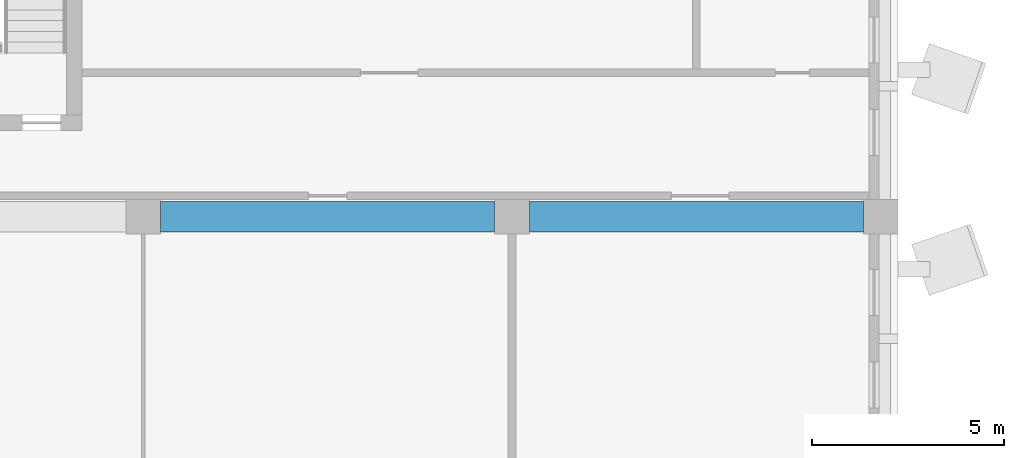
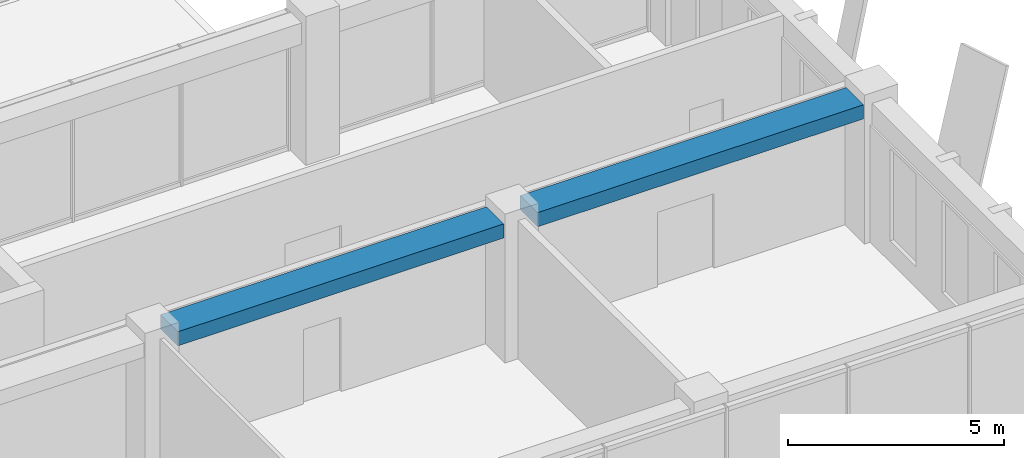
# One storey, part 13 of 38: 2 beams.
"""IFC4 building model written with IfcOpenShell, lengths in metres."""

import ifcopenshell
import ifcopenshell.guid

model = None  # the IFC model being written
_history = None  # IfcOwnerHistory: only IFC2X3 demands one
_inside = {}  # id of a spatial element -> (the spatial element, [elements in it])
_under = {}  # id of a project, library or spatial element -> (it, [spatial elements below it])
_declared = {}  # id of a project -> (the project, [libraries it declares])
_typed = {}  # id of a type object -> (the type object, [elements of that type])
_made_of = {}  # id of a material, layer set ... -> (it, [elements and type objects made of it])


def new_model(schema):
    """Start an empty IFC model of exactly this schema.

    Asked for "IFC4X3", IfcOpenShell would pick the latest addendum, in which some entities
    have other attributes; the version numbers below select the first issue.
    IFC2X3 requires an IfcOwnerHistory on every rooted entity: one is made here for all.
    """
    global model, _history
    if schema == "IFC4X3":
        model = ifcopenshell.file(schema_version=(4, 3, 0, 0))
    else:
        model = ifcopenshell.file(schema=schema)
    _inside.clear()
    _under.clear()
    _declared.clear()
    _typed.clear()
    _made_of.clear()
    _history = None
    if model.schema == "IFC2X3":
        org = make("IfcOrganization", Name="unknown")
        user = make(
            "IfcPersonAndOrganization",
            ThePerson=make("IfcPerson", FamilyName="unknown"),
            TheOrganization=org,
        )
        app = make(
            "IfcApplication",
            ApplicationDeveloper=org,
            Version="unknown",
            ApplicationFullName="unknown",
            ApplicationIdentifier="unknown",
        )
        _history = make(
            "IfcOwnerHistory",
            OwningUser=user,
            OwningApplication=app,
            ChangeAction="ADDED",
            CreationDate=0,
        )
    return model


def make(cls, **values):
    """One entity of the class cls with the attributes given. An attribute that is None is left unset."""
    return model.create_entity(
        cls, **{name: value for name, value in values.items() if value is not None}
    )


def rooted(cls, **values):
    """An entity with a GlobalId (a new one), such as an element, a storey or a relation."""
    return make(cls, GlobalId=ifcopenshell.guid.new(), OwnerHistory=_history, **values)


def si_unit(unit_type, name, prefix=None):
    """IfcSIUnit, for example si_unit("LENGTHUNIT", "METRE", prefix="MILLI")."""
    return make("IfcSIUnit", UnitType=unit_type, Prefix=prefix, Name=name)


def assignment(units):
    """IfcUnitAssignment: the units of a project."""
    return None if units is None else make("IfcUnitAssignment", Units=units)


def point(xyz):
    """IfcCartesianPoint."""
    return None if xyz is None else make("IfcCartesianPoint", Coordinates=xyz)


def direction(xyz):
    """IfcDirection."""
    return None if xyz is None else make("IfcDirection", DirectionRatios=xyz)


def frame(location, z_axis=None, x_axis=None):
    """IfcAxis2Placement3D, a coordinate frame: its origin and axes. An axis left out is left unset."""
    return make(
        "IfcAxis2Placement3D",
        Location=point(location),
        Axis=direction(z_axis),
        RefDirection=direction(x_axis),
    )


def frame_2d(location, x_axis=None):
    """IfcAxis2Placement2D, a coordinate frame in the plane: its origin and x axis."""
    return make(
        "IfcAxis2Placement2D", Location=point(location), RefDirection=direction(x_axis)
    )


def origin():
    """The frame at (0, 0, 0) with its axes left unset."""
    return frame((0.0, 0.0, 0.0))


def origin_2d():
    """The frame at (0, 0) in the plane with its x axis left unset."""
    return frame_2d((0.0, 0.0))


def place(relative_to, where):
    """IfcLocalPlacement: puts the frame where relative to a parent placement (None: the world)."""
    return make(
        "IfcLocalPlacement", PlacementRelTo=relative_to, RelativePlacement=where
    )


def context(
    kind, dimensions, precision=None, world=None, true_north=None, identifier=None
):
    """IfcGeometricRepresentationContext, for example the 3D "Model" context."""
    return make(
        "IfcGeometricRepresentationContext",
        ContextIdentifier=identifier,
        ContextType=kind,
        CoordinateSpaceDimension=dimensions,
        Precision=precision,
        WorldCoordinateSystem=world,
        TrueNorth=true_north,
    )


def subcontext(parent, identifier, kind, view, scale=None):
    """IfcGeometricRepresentationSubContext, for example "Body" below "Model"."""
    return make(
        "IfcGeometricRepresentationSubContext",
        ContextIdentifier=identifier,
        ContextType=kind,
        ParentContext=parent,
        TargetScale=scale,
        TargetView=view,
    )


def project(units=None, contexts=None):
    """IfcProject with its units and contexts."""
    return rooted(
        "IfcProject",
        Name="project",
        RepresentationContexts=contexts,
        UnitsInContext=assignment(units),
    )


def spatial(cls, under=None, at=None, **own):
    """A site, building, storey or space (cls), placed at a placement, below another one or the project."""
    s = rooted(cls, ObjectPlacement=at, **own)
    if under is not None:
        _under.setdefault(under.id(), (under, []))[1].append(s)
    return s


def profile(cls, at=None, kind="AREA", **sizes):
    """A parametric profile (cls). Its sizes go by their IFC names, for example OverallWidth=200.0."""
    return make(cls, ProfileType=kind, Position=at, **sizes)


def rectangle(**sizes):
    """IfcRectangleProfileDef."""
    return profile("IfcRectangleProfileDef", **sizes)


def extrude(swept, where, along, depth):
    """IfcExtrudedAreaSolid: the profile swept, set in the frame where, extruded along a direction by depth."""
    return make(
        "IfcExtrudedAreaSolid",
        SweptArea=swept,
        Position=where,
        ExtrudedDirection=direction(along),
        Depth=depth,
    )


def shape(context_of_items, identifier, shape_type, items):
    """IfcShapeRepresentation: the items that make up one representation, for example the "Body"."""
    return make(
        "IfcShapeRepresentation",
        ContextOfItems=context_of_items,
        RepresentationIdentifier=identifier,
        RepresentationType=shape_type,
        Items=items,
    )


def material(Name=None, Category=None):
    """IfcMaterial."""
    return make("IfcMaterial", Name=Name, Category=Category)


def material_profile(
    of_material, cross_section, Name=None, Category=None, Priority=None
):
    """IfcMaterialProfile: a cross section and its material."""
    return make(
        "IfcMaterialProfile",
        Name=Name,
        Material=of_material,
        Profile=cross_section,
        Priority=Priority,
        Category=Category,
    )


def profile_set(profiles, Name=None, composite=None):
    """IfcMaterialProfileSet."""
    return make(
        "IfcMaterialProfileSet",
        Name=Name,
        MaterialProfiles=profiles,
        CompositeProfile=composite,
    )


def made_of(thing, what):
    """Note that an element or type object is made of a material, layer set ...; save() writes the relation."""
    if what is not None:
        _made_of.setdefault(what.id(), (what, []))[1].append(thing)
    return thing


def type_object(cls, material=None, **own):
    """A type object (cls), such as IfcWallType, which elements share."""
    return made_of(rooted(cls, **own), material)


def element(
    cls,
    number,
    at=None,
    inside=None,
    cuts=None,
    type_object=None,
    material=None,
    context=None,
    identifier="Body",
    shape_type=None,
    held_by="IfcProductDefinitionShape",
    body=None,
    shapes=None,
    **own,
):
    """One element of the class cls, such as IfcWall. Its Tag is "e" and its number.

    at: its placement. inside: the storey or other place that contains it. cuts: it is an
    opening in that element (IfcRelVoidsElement). A single representation is given by context,
    identifier, shape_type and body (its items); several are given by shapes. held_by: the class
    of the entity that holds the representations. save() writes the other relations.
    """
    e = rooted(cls, Tag="e%d" % number, ObjectPlacement=at, **own)
    if body is not None:
        shapes = [shape(context, identifier, shape_type, body)]
    if shapes is not None:
        e.Representation = make(held_by, Representations=shapes)
    if inside is not None:
        _inside.setdefault(inside.id(), (inside, []))[1].append(e)
    if cuts is not None:
        rooted(
            "IfcRelVoidsElement", RelatingBuildingElement=cuts, RelatedOpeningElement=e
        )
    if type_object is not None:
        _typed.setdefault(type_object.id(), (type_object, []))[1].append(e)
    return made_of(e, material)


def aggregate(whole, parts):
    """IfcRelAggregates: a whole, such as a stair, and the parts it consists of."""
    return rooted("IfcRelAggregates", RelatingObject=whole, RelatedObjects=parts)


def save(model, path):
    """Write the relations noted so far, then the file.

    IfcRelAggregates (storeys below a building ...), IfcRelContainedInSpatialStructure (elements
    in a storey), IfcRelDefinesByType, IfcRelAssociatesMaterial and IfcRelDeclares: one each for
    every whole, place, type object, material and project.
    """
    for whole, parts in _under.values():
        aggregate(whole, parts)
    for where, things in _inside.values():
        rooted(
            "IfcRelContainedInSpatialStructure",
            RelatedElements=things,
            RelatingStructure=where,
        )
    for kind, things in _typed.values():
        rooted("IfcRelDefinesByType", RelatedObjects=things, RelatingType=kind)
    for what, things in _made_of.values():
        rooted("IfcRelAssociatesMaterial", RelatedObjects=things, RelatingMaterial=what)
    for by, libraries in _declared.values():
        rooted("IfcRelDeclares", RelatingContext=by, RelatedDefinitions=libraries)
    model.write(path)


model = new_model("IFC4")

# Units and contexts
model_context = context("Model", 3, precision=1e-05, world=origin(), true_north=direction((0.0, 1.0)))
body_context = subcontext(model_context, "Body", "Model", "MODEL_VIEW")
ifc_project = project(units=[si_unit("LENGTHUNIT", "METRE"), si_unit("AREAUNIT", "SQUARE_METRE"), si_unit("VOLUMEUNIT", "CUBIC_METRE"), si_unit("PLANEANGLEUNIT", "RADIAN"), si_unit("MASSUNIT", "GRAM", prefix="KILO")], contexts=[model_context])

# Site, building, storey
site_placement = place(None, origin())
site = spatial("IfcSite", under=ifc_project, at=site_placement, CompositionType="ELEMENT")
building_placement = place(site_placement, origin())
building = spatial("IfcBuilding", under=site, at=building_placement, Name="Nzadi Deep Aquarium and Research Tower", CompositionType="ELEMENT")
storey_placement = place(building_placement, frame((0.0, 0.0, 52.89990234375)))
storey = spatial("IfcBuildingStorey", under=building, at=storey_placement, Name="L10", CompositionType="ELEMENT", Elevation=52.89990234375)

# Beams
ifc_material = material(Name="Concrete C35/45", Category="concrete")
ifc_material_profile = material_profile(ifc_material, rectangle(XDim=0.800048828125, YDim=0.39990234375, at=origin_2d()))
ifc_profile_set = profile_set([ifc_material_profile], Name="Concrete C35/45")
beam_type = type_object("IfcBeamType", Name="RC 800x400", PredefinedType="BEAM", material=ifc_profile_set)
for number, where, z_axis, x_axis, name in (
    (1, (29.25, 9.199951171875, 3.7001953125), (1.0, 0.0, 0.0), (0.0, 1.0, 0.0), "B-Z1-L10-L2-4"),
    (2, (38.85009765625, 9.199951171875, 3.7001953125), (1.0, 0.0, 0.0), (0.0, 1.0, 0.0), "B-Z1-L10-L2-5"),
):
    element("IfcBeam", number, at=place(storey_placement, frame(where, z_axis=z_axis, x_axis=x_axis)), inside=storey, type_object=beam_type, Name=name, PredefinedType="BEAM", context=body_context, shape_type="SweptSolid", body=[
        extrude(rectangle(XDim=0.800048828125, YDim=0.39990234375, at=origin_2d()), origin(), (0.0, 0.0, 1.0), 8.699951171875),
    ])

save(model, "model.ifc")
